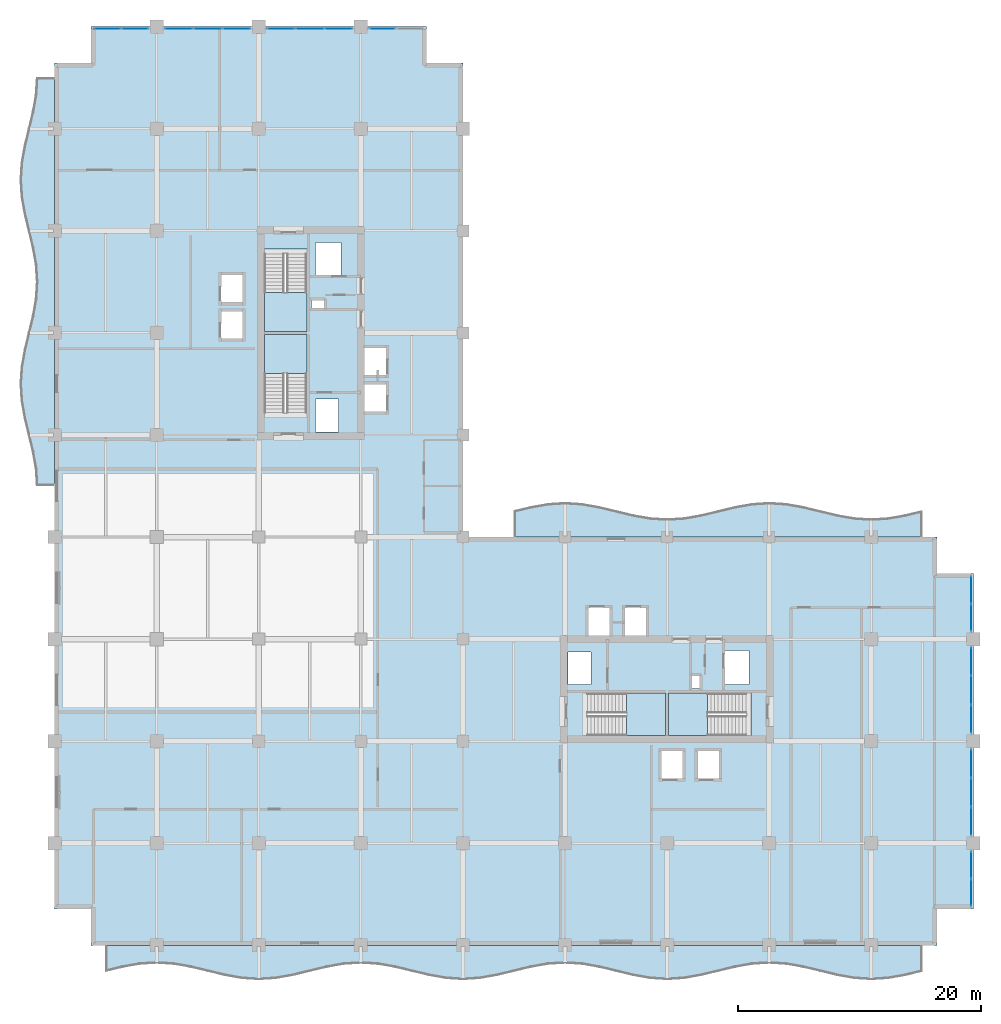
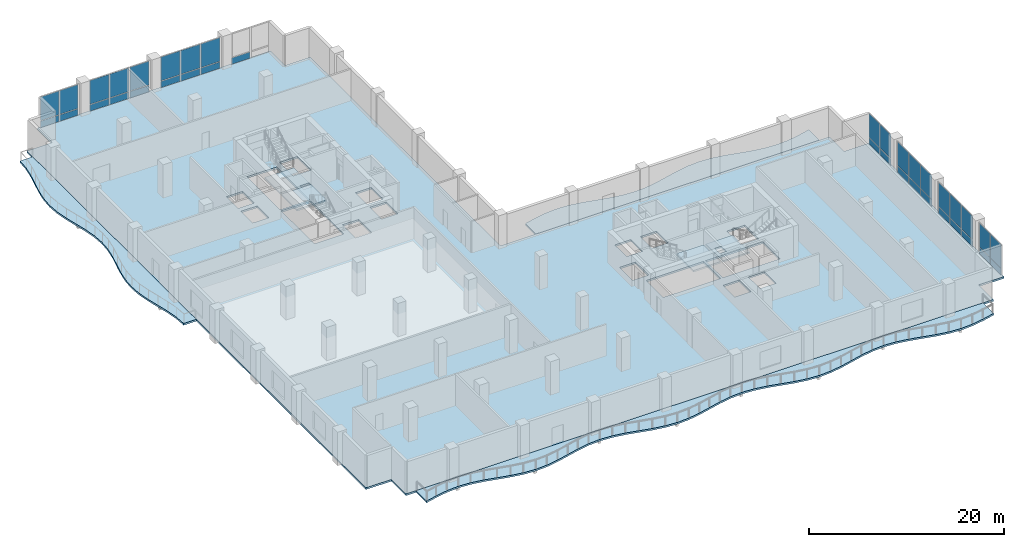
# One storey, part 9 of 22: 37 plates, 8 slabs, 12 elements without a shape of their own.
"""IFC4 building model written with IfcOpenShell, lengths in metres."""

from ifc_helpers import new_model, si_unit, direction, frame, origin, origin_2d, place, context, subcontext, project, spatial, polyline, rectangle, outline, extrude, material, layer, layer_set, type_object, element, aggregate, save


model = new_model("IFC4")

# Units and contexts
model_context = context("Model", 3, precision=1e-05, world=origin(), true_north=direction((0.0, 1.0)))
body_context = subcontext(model_context, "Body", "Model", "MODEL_VIEW")
ifc_project = project(units=[si_unit("LENGTHUNIT", "METRE"), si_unit("AREAUNIT", "SQUARE_METRE"), si_unit("VOLUMEUNIT", "CUBIC_METRE"), si_unit("PLANEANGLEUNIT", "RADIAN"), si_unit("MASSUNIT", "GRAM", prefix="KILO")], contexts=[model_context])

# Site, building, storey
site_placement = place(None, origin())
site = spatial("IfcSite", under=ifc_project, at=site_placement, CompositionType="ELEMENT")
building_placement = place(site_placement, origin())
building = spatial("IfcBuilding", under=site, at=building_placement, Name="Koriwani Terraces Tower", CompositionType="ELEMENT")
storey_placement = place(building_placement, frame((0.0, 0.0, 219.800048828125)))
storey = spatial("IfcBuildingStorey", under=building, at=storey_placement, Name="L54", CompositionType="ELEMENT", Elevation=219.800048828125)

# Curtain wall, plates
ifc_material_1 = material(Name="Anodised Bronze Aluminium", Category="aluminium")
ifc_layer_1 = layer(ifc_material_1, 0.219970703125, Name="Anodised Bronze Aluminium")
ifc_layer_set_1 = layer_set([ifc_layer_1], Name="Anodised Bronze Aluminium")
curtain_wall_type = type_object("IfcCurtainWallType", Name="CW_SKY_LOUNGE", PredefinedType="NOTDEFINED", material=ifc_layer_set_1)
curtain_wall_1_placement = place(storey_placement, origin())
curtain_wall_1 = element("IfcCurtainWall", 1, at=curtain_wall_1_placement, inside=storey, type_object=curtain_wall_type, Name="L54 Unitised Curtain Wall (N_TIP) Bay 1", PredefinedType="NOTDEFINED")
ifc_material_2 = material(Name="Tempered Laminated Low-E Glass", Category="glass")
ifc_layer_2 = layer(ifc_material_2, 0.028076171875, Name="Tempered Laminated Low-E Glass")
ifc_layer_set_2 = layer_set([ifc_layer_2], Name="Tempered Laminated Low-E Glass")
plate_type = type_object("IfcPlateType", Name="CW_PANEL_VISION_28", PredefinedType="CURTAIN_PANEL", material=ifc_layer_set_2)
plate_1_placement = place(storey_placement, frame((4.35009765625, 75.425048828125, 0.06494140625), z_axis=(0.0, 0.0, 1.0), x_axis=(1.0, 0.0, 0.0)))
plate_1 = element("IfcPlate", 2, at=plate_1_placement, type_object=plate_type, Name="CW-SKY panel 1.1", PredefinedType="CURTAIN_PANEL", context=body_context, shape_type="SweptSolid", body=[
    extrude(rectangle(XDim=2.179931640625, YDim=0.028076171875, at=origin_2d()), origin(), (0.0, 0.0, 1.0), 0.802490234375),
])
plate_2_placement = place(storey_placement, frame((4.35009765625, 75.425048828125, 0.9326171875), z_axis=(0.0, 0.0, 1.0), x_axis=(1.0, 0.0, 0.0)))
plate_2 = element("IfcPlate", 3, at=plate_2_placement, type_object=plate_type, Name="CW-SKY panel 1.2", PredefinedType="CURTAIN_PANEL", context=body_context, shape_type="SweptSolid", body=[
    extrude(rectangle(XDim=2.179931640625, YDim=0.028076171875, at=origin_2d()), origin(), (0.0, 0.0, 1.0), 2.972412109375),
])
plate_3_placement = place(storey_placement, frame((6.614990234375, 75.425048828125, 0.06494140625), z_axis=(0.0, 0.0, 1.0), x_axis=(1.0, 0.0, 0.0)))
plate_3 = element("IfcPlate", 4, at=plate_3_placement, type_object=plate_type, Name="CW-SKY panel 2.1", PredefinedType="CURTAIN_PANEL", context=body_context, shape_type="SweptSolid", body=[
    extrude(rectangle(XDim=2.179931640625, YDim=0.028076171875, at=origin_2d()), origin(), (0.0, 0.0, 1.0), 0.802490234375),
])
plate_4_placement = place(storey_placement, frame((6.614990234375, 75.425048828125, 0.9326171875), z_axis=(0.0, 0.0, 1.0), x_axis=(1.0, 0.0, 0.0)))
plate_4 = element("IfcPlate", 5, at=plate_4_placement, type_object=plate_type, Name="CW-SKY panel 2.2", PredefinedType="CURTAIN_PANEL", context=body_context, shape_type="SweptSolid", body=[
    extrude(rectangle(XDim=2.179931640625, YDim=0.028076171875, at=origin_2d()), origin(), (0.0, 0.0, 1.0), 2.972412109375),
])
aggregate(curtain_wall_1, [plate_1, plate_2, plate_3, plate_4])

curtain_wall_2_placement = place(storey_placement, origin())
curtain_wall_2 = element("IfcCurtainWall", 6, at=curtain_wall_2_placement, inside=storey, type_object=curtain_wall_type, Name="L54 Unitised Curtain Wall (N_TIP) Bay 2", PredefinedType="NOTDEFINED")
plate_5_placement = place(storey_placement, frame((10.22802734375, 75.425048828125, 0.06494140625), z_axis=(0.0, 0.0, 1.0), x_axis=(1.0, 0.0, 0.0)))
plate_5 = element("IfcPlate", 7, at=plate_5_placement, type_object=plate_type, Name="CW-SKY panel 1.1", PredefinedType="CURTAIN_PANEL", context=body_context, shape_type="SweptSolid", body=[
    extrude(rectangle(XDim=2.265869140625, YDim=0.028076171875, at=origin_2d()), origin(), (0.0, 0.0, 1.0), 0.802490234375),
])
plate_6_placement = place(storey_placement, frame((10.22802734375, 75.425048828125, 0.9326171875), z_axis=(0.0, 0.0, 1.0), x_axis=(1.0, 0.0, 0.0)))
plate_6 = element("IfcPlate", 8, at=plate_6_placement, type_object=plate_type, Name="CW-SKY panel 1.2", PredefinedType="CURTAIN_PANEL", context=body_context, shape_type="SweptSolid", body=[
    extrude(rectangle(XDim=2.265869140625, YDim=0.028076171875, at=origin_2d()), origin(), (0.0, 0.0, 1.0), 2.972412109375),
])
plate_7_placement = place(storey_placement, frame((12.60009765625, 75.425048828125, 0.06494140625), z_axis=(0.0, 0.0, 1.0), x_axis=(1.0, 0.0, 0.0)))
plate_7 = element("IfcPlate", 9, at=plate_7_placement, type_object=plate_type, Name="CW-SKY panel 2.1", PredefinedType="CURTAIN_PANEL", context=body_context, shape_type="SweptSolid", body=[
    extrude(rectangle(XDim=2.308349609375, YDim=0.028076171875, at=origin_2d()), origin(), (0.0, 0.0, 1.0), 0.802490234375),
])
plate_8_placement = place(storey_placement, frame((12.60009765625, 75.425048828125, 0.9326171875), z_axis=(0.0, 0.0, 1.0), x_axis=(1.0, 0.0, 0.0)))
plate_8 = element("IfcPlate", 10, at=plate_8_placement, type_object=plate_type, Name="CW-SKY panel 2.2", PredefinedType="CURTAIN_PANEL", context=body_context, shape_type="SweptSolid", body=[
    extrude(rectangle(XDim=2.308349609375, YDim=0.028076171875, at=origin_2d()), origin(), (0.0, 0.0, 1.0), 2.972412109375),
])
plate_9_placement = place(storey_placement, frame((14.97216796875, 75.425048828125, 0.06494140625), z_axis=(0.0, 0.0, 1.0), x_axis=(1.0, 0.0, 0.0)))
plate_9 = element("IfcPlate", 11, at=plate_9_placement, type_object=plate_type, Name="CW-SKY panel 3.1", PredefinedType="CURTAIN_PANEL", context=body_context, shape_type="SweptSolid", body=[
    extrude(rectangle(XDim=2.265869140625, YDim=0.028076171875, at=origin_2d()), origin(), (0.0, 0.0, 1.0), 0.802490234375),
])
plate_10_placement = place(storey_placement, frame((14.97216796875, 75.425048828125, 0.9326171875), z_axis=(0.0, 0.0, 1.0), x_axis=(1.0, 0.0, 0.0)))
plate_10 = element("IfcPlate", 12, at=plate_10_placement, type_object=plate_type, Name="CW-SKY panel 3.2", PredefinedType="CURTAIN_PANEL", context=body_context, shape_type="SweptSolid", body=[
    extrude(rectangle(XDim=2.265869140625, YDim=0.028076171875, at=origin_2d()), origin(), (0.0, 0.0, 1.0), 2.972412109375),
])
aggregate(curtain_wall_2, [plate_5, plate_6, plate_7, plate_8, plate_9, plate_10])

curtain_wall_3_placement = place(storey_placement, origin())
curtain_wall_3 = element("IfcCurtainWall", 13, at=curtain_wall_3_placement, inside=storey, type_object=curtain_wall_type, Name="L54 Unitised Curtain Wall (N_TIP) Bay 3", PredefinedType="NOTDEFINED")
plate_11_placement = place(storey_placement, frame((18.6279296875, 75.425048828125, 0.06494140625), z_axis=(0.0, 0.0, 1.0), x_axis=(1.0, 0.0, 0.0)))
plate_11 = element("IfcPlate", 14, at=plate_11_placement, type_object=plate_type, Name="CW-SKY panel 1.1", PredefinedType="CURTAIN_PANEL", context=body_context, shape_type="SweptSolid", body=[
    extrude(rectangle(XDim=2.265869140625, YDim=0.028076171875, at=origin_2d()), origin(), (0.0, 0.0, 1.0), 0.802490234375),
])
plate_12_placement = place(storey_placement, frame((18.6279296875, 75.425048828125, 0.9326171875), z_axis=(0.0, 0.0, 1.0), x_axis=(1.0, 0.0, 0.0)))
plate_12 = element("IfcPlate", 15, at=plate_12_placement, type_object=plate_type, Name="CW-SKY panel 1.2", PredefinedType="CURTAIN_PANEL", context=body_context, shape_type="SweptSolid", body=[
    extrude(rectangle(XDim=2.265869140625, YDim=0.028076171875, at=origin_2d()), origin(), (0.0, 0.0, 1.0), 2.972412109375),
])
plate_13_placement = place(storey_placement, frame((21.0, 75.425048828125, 0.06494140625), z_axis=(0.0, 0.0, 1.0), x_axis=(1.0, 0.0, 0.0)))
plate_13 = element("IfcPlate", 16, at=plate_13_placement, type_object=plate_type, Name="CW-SKY panel 2.1", PredefinedType="CURTAIN_PANEL", context=body_context, shape_type="SweptSolid", body=[
    extrude(rectangle(XDim=2.308349609375, YDim=0.028076171875, at=origin_2d()), origin(), (0.0, 0.0, 1.0), 0.802490234375),
])
plate_14_placement = place(storey_placement, frame((21.0, 75.425048828125, 0.9326171875), z_axis=(0.0, 0.0, 1.0), x_axis=(1.0, 0.0, 0.0)))
plate_14 = element("IfcPlate", 17, at=plate_14_placement, type_object=plate_type, Name="CW-SKY panel 2.2", PredefinedType="CURTAIN_PANEL", context=body_context, shape_type="SweptSolid", body=[
    extrude(rectangle(XDim=2.308349609375, YDim=0.028076171875, at=origin_2d()), origin(), (0.0, 0.0, 1.0), 2.972412109375),
])
plate_15_placement = place(storey_placement, frame((23.3720703125, 75.425048828125, 0.06494140625), z_axis=(0.0, 0.0, 1.0), x_axis=(1.0, 0.0, 0.0)))
plate_15 = element("IfcPlate", 18, at=plate_15_placement, type_object=plate_type, Name="CW-SKY panel 3.1", PredefinedType="CURTAIN_PANEL", context=body_context, shape_type="SweptSolid", body=[
    extrude(rectangle(XDim=2.265869140625, YDim=0.028076171875, at=origin_2d()), origin(), (0.0, 0.0, 1.0), 0.802490234375),
])
plate_16_placement = place(storey_placement, frame((23.3720703125, 75.425048828125, 0.9326171875), z_axis=(0.0, 0.0, 1.0), x_axis=(1.0, 0.0, 0.0)))
plate_16 = element("IfcPlate", 19, at=plate_16_placement, type_object=plate_type, Name="CW-SKY panel 3.2", PredefinedType="CURTAIN_PANEL", context=body_context, shape_type="SweptSolid", body=[
    extrude(rectangle(XDim=2.265869140625, YDim=0.028076171875, at=origin_2d()), origin(), (0.0, 0.0, 1.0), 2.972412109375),
])
aggregate(curtain_wall_3, [plate_11, plate_12, plate_13, plate_14, plate_15, plate_16])

# Curtain wall, plate
curtain_wall_4_placement = place(storey_placement, origin())
curtain_wall_4 = element("IfcCurtainWall", 20, at=curtain_wall_4_placement, inside=storey, type_object=curtain_wall_type, Name="L54 Unitised Curtain Wall (N_TIP) Bay 4", PredefinedType="NOTDEFINED")
plate_17_placement = place(storey_placement, frame((26.985107421875, 75.425048828125, 0.06494140625), z_axis=(0.0, 0.0, 1.0), x_axis=(1.0, 0.0, 0.0)))
plate_17 = element("IfcPlate", 21, at=plate_17_placement, type_object=plate_type, Name="CW-SKY panel 1.1", PredefinedType="CURTAIN_PANEL", context=body_context, shape_type="SweptSolid", body=[
    extrude(rectangle(XDim=2.179931640625, YDim=0.028076171875, at=origin_2d()), origin(), (0.0, 0.0, 1.0), 0.802490234375),
])
aggregate(curtain_wall_4, [plate_17])

# Curtain wall, plates
curtain_wall_5_placement = place(storey_placement, origin())
curtain_wall_5 = element("IfcCurtainWall", 22, at=curtain_wall_5_placement, inside=storey, type_object=curtain_wall_type, Name="L54 Unitised Curtain Wall (E_TIP) Bay 1", PredefinedType="NOTDEFINED")
plate_18_placement = place(storey_placement, frame((75.425048828125, 29.25, 0.06494140625), z_axis=(0.0, 0.0, 1.0), x_axis=(0.0, -1.0, 0.0)))
plate_18 = element("IfcPlate", 23, at=plate_18_placement, type_object=plate_type, Name="CW-SKY panel 1.1", PredefinedType="CURTAIN_PANEL", context=body_context, shape_type="SweptSolid", body=[
    extrude(rectangle(XDim=2.179931640625, YDim=0.028076171875, at=origin_2d()), origin(), (0.0, 0.0, 1.0), 0.802490234375),
])
plate_19_placement = place(storey_placement, frame((75.425048828125, 29.25, 0.9326171875), z_axis=(0.0, 0.0, 1.0), x_axis=(0.0, -1.0, 0.0)))
plate_19 = element("IfcPlate", 24, at=plate_19_placement, type_object=plate_type, Name="CW-SKY panel 1.2", PredefinedType="CURTAIN_PANEL", context=body_context, shape_type="SweptSolid", body=[
    extrude(rectangle(XDim=2.179931640625, YDim=0.028076171875, at=origin_2d()), origin(), (0.0, 0.0, 1.0), 2.972412109375),
])
plate_20_placement = place(storey_placement, frame((75.425048828125, 26.985107421875, 0.06494140625), z_axis=(0.0, 0.0, 1.0), x_axis=(0.0, -1.0, 0.0)))
plate_20 = element("IfcPlate", 25, at=plate_20_placement, type_object=plate_type, Name="CW-SKY panel 2.1", PredefinedType="CURTAIN_PANEL", context=body_context, shape_type="SweptSolid", body=[
    extrude(rectangle(XDim=2.179931640625, YDim=0.028076171875, at=origin_2d()), origin(), (0.0, 0.0, 1.0), 0.802490234375),
])
plate_21_placement = place(storey_placement, frame((75.425048828125, 26.985107421875, 0.9326171875), z_axis=(0.0, 0.0, 1.0), x_axis=(0.0, -1.0, 0.0)))
plate_21 = element("IfcPlate", 26, at=plate_21_placement, type_object=plate_type, Name="CW-SKY panel 2.2", PredefinedType="CURTAIN_PANEL", context=body_context, shape_type="SweptSolid", body=[
    extrude(rectangle(XDim=2.179931640625, YDim=0.028076171875, at=origin_2d()), origin(), (0.0, 0.0, 1.0), 2.972412109375),
])
aggregate(curtain_wall_5, [plate_18, plate_19, plate_20, plate_21])

curtain_wall_6_placement = place(storey_placement, origin())
curtain_wall_6 = element("IfcCurtainWall", 27, at=curtain_wall_6_placement, inside=storey, type_object=curtain_wall_type, Name="L54 Unitised Curtain Wall (E_TIP) Bay 2", PredefinedType="NOTDEFINED")
plate_22_placement = place(storey_placement, frame((75.425048828125, 23.3720703125, 0.06494140625), z_axis=(0.0, 0.0, 1.0), x_axis=(0.0, -1.0, 0.0)))
plate_22 = element("IfcPlate", 28, at=plate_22_placement, type_object=plate_type, Name="CW-SKY panel 1.1", PredefinedType="CURTAIN_PANEL", context=body_context, shape_type="SweptSolid", body=[
    extrude(rectangle(XDim=2.265869140625, YDim=0.028076171875, at=origin_2d()), origin(), (0.0, 0.0, 1.0), 0.802490234375),
])
plate_23_placement = place(storey_placement, frame((75.425048828125, 23.3720703125, 0.9326171875), z_axis=(0.0, 0.0, 1.0), x_axis=(0.0, -1.0, 0.0)))
plate_23 = element("IfcPlate", 29, at=plate_23_placement, type_object=plate_type, Name="CW-SKY panel 1.2", PredefinedType="CURTAIN_PANEL", context=body_context, shape_type="SweptSolid", body=[
    extrude(rectangle(XDim=2.265869140625, YDim=0.028076171875, at=origin_2d()), origin(), (0.0, 0.0, 1.0), 2.972412109375),
])
plate_24_placement = place(storey_placement, frame((75.425048828125, 21.0, 0.06494140625), z_axis=(0.0, 0.0, 1.0), x_axis=(0.0, -1.0, 0.0)))
plate_24 = element("IfcPlate", 30, at=plate_24_placement, type_object=plate_type, Name="CW-SKY panel 2.1", PredefinedType="CURTAIN_PANEL", context=body_context, shape_type="SweptSolid", body=[
    extrude(rectangle(XDim=2.308349609375, YDim=0.028076171875, at=origin_2d()), origin(), (0.0, 0.0, 1.0), 0.802490234375),
])
plate_25_placement = place(storey_placement, frame((75.425048828125, 21.0, 0.9326171875), z_axis=(0.0, 0.0, 1.0), x_axis=(0.0, -1.0, 0.0)))
plate_25 = element("IfcPlate", 31, at=plate_25_placement, type_object=plate_type, Name="CW-SKY panel 2.2", PredefinedType="CURTAIN_PANEL", context=body_context, shape_type="SweptSolid", body=[
    extrude(rectangle(XDim=2.308349609375, YDim=0.028076171875, at=origin_2d()), origin(), (0.0, 0.0, 1.0), 2.972412109375),
])
plate_26_placement = place(storey_placement, frame((75.425048828125, 18.6279296875, 0.06494140625), z_axis=(0.0, 0.0, 1.0), x_axis=(0.0, -1.0, 0.0)))
plate_26 = element("IfcPlate", 32, at=plate_26_placement, type_object=plate_type, Name="CW-SKY panel 3.1", PredefinedType="CURTAIN_PANEL", context=body_context, shape_type="SweptSolid", body=[
    extrude(rectangle(XDim=2.265869140625, YDim=0.028076171875, at=origin_2d()), origin(), (0.0, 0.0, 1.0), 0.802490234375),
])
plate_27_placement = place(storey_placement, frame((75.425048828125, 18.6279296875, 0.9326171875), z_axis=(0.0, 0.0, 1.0), x_axis=(0.0, -1.0, 0.0)))
plate_27 = element("IfcPlate", 33, at=plate_27_placement, type_object=plate_type, Name="CW-SKY panel 3.2", PredefinedType="CURTAIN_PANEL", context=body_context, shape_type="SweptSolid", body=[
    extrude(rectangle(XDim=2.265869140625, YDim=0.028076171875, at=origin_2d()), origin(), (0.0, 0.0, 1.0), 2.972412109375),
])
aggregate(curtain_wall_6, [plate_22, plate_23, plate_24, plate_25, plate_26, plate_27])

curtain_wall_7_placement = place(storey_placement, origin())
curtain_wall_7 = element("IfcCurtainWall", 34, at=curtain_wall_7_placement, inside=storey, type_object=curtain_wall_type, Name="L54 Unitised Curtain Wall (E_TIP) Bay 3", PredefinedType="NOTDEFINED")
plate_28_placement = place(storey_placement, frame((75.425048828125, 14.97216796875, 0.06494140625), z_axis=(0.0, 0.0, 1.0), x_axis=(0.0, -1.0, 0.0)))
plate_28 = element("IfcPlate", 35, at=plate_28_placement, type_object=plate_type, Name="CW-SKY panel 1.1", PredefinedType="CURTAIN_PANEL", context=body_context, shape_type="SweptSolid", body=[
    extrude(rectangle(XDim=2.265869140625, YDim=0.028076171875, at=origin_2d()), origin(), (0.0, 0.0, 1.0), 0.802490234375),
])
plate_29_placement = place(storey_placement, frame((75.425048828125, 14.97216796875, 0.9326171875), z_axis=(0.0, 0.0, 1.0), x_axis=(0.0, -1.0, 0.0)))
plate_29 = element("IfcPlate", 36, at=plate_29_placement, type_object=plate_type, Name="CW-SKY panel 1.2", PredefinedType="CURTAIN_PANEL", context=body_context, shape_type="SweptSolid", body=[
    extrude(rectangle(XDim=2.265869140625, YDim=0.028076171875, at=origin_2d()), origin(), (0.0, 0.0, 1.0), 2.972412109375),
])
plate_30_placement = place(storey_placement, frame((75.425048828125, 12.60009765625, 0.06494140625), z_axis=(0.0, 0.0, 1.0), x_axis=(0.0, -1.0, 0.0)))
plate_30 = element("IfcPlate", 37, at=plate_30_placement, type_object=plate_type, Name="CW-SKY panel 2.1", PredefinedType="CURTAIN_PANEL", context=body_context, shape_type="SweptSolid", body=[
    extrude(rectangle(XDim=2.308349609375, YDim=0.028076171875, at=origin_2d()), origin(), (0.0, 0.0, 1.0), 0.802490234375),
])
plate_31_placement = place(storey_placement, frame((75.425048828125, 12.60009765625, 0.9326171875), z_axis=(0.0, 0.0, 1.0), x_axis=(0.0, -1.0, 0.0)))
plate_31 = element("IfcPlate", 38, at=plate_31_placement, type_object=plate_type, Name="CW-SKY panel 2.2", PredefinedType="CURTAIN_PANEL", context=body_context, shape_type="SweptSolid", body=[
    extrude(rectangle(XDim=2.308349609375, YDim=0.028076171875, at=origin_2d()), origin(), (0.0, 0.0, 1.0), 2.972412109375),
])
plate_32_placement = place(storey_placement, frame((75.425048828125, 10.22802734375, 0.06494140625), z_axis=(0.0, 0.0, 1.0), x_axis=(0.0, -1.0, 0.0)))
plate_32 = element("IfcPlate", 39, at=plate_32_placement, type_object=plate_type, Name="CW-SKY panel 3.1", PredefinedType="CURTAIN_PANEL", context=body_context, shape_type="SweptSolid", body=[
    extrude(rectangle(XDim=2.265869140625, YDim=0.028076171875, at=origin_2d()), origin(), (0.0, 0.0, 1.0), 0.802490234375),
])
plate_33_placement = place(storey_placement, frame((75.425048828125, 10.22802734375, 0.9326171875), z_axis=(0.0, 0.0, 1.0), x_axis=(0.0, -1.0, 0.0)))
plate_33 = element("IfcPlate", 40, at=plate_33_placement, type_object=plate_type, Name="CW-SKY panel 3.2", PredefinedType="CURTAIN_PANEL", context=body_context, shape_type="SweptSolid", body=[
    extrude(rectangle(XDim=2.265869140625, YDim=0.028076171875, at=origin_2d()), origin(), (0.0, 0.0, 1.0), 2.972412109375),
])
aggregate(curtain_wall_7, [plate_28, plate_29, plate_30, plate_31, plate_32, plate_33])

curtain_wall_8_placement = place(storey_placement, origin())
curtain_wall_8 = element("IfcCurtainWall", 41, at=curtain_wall_8_placement, inside=storey, type_object=curtain_wall_type, Name="L54 Unitised Curtain Wall (E_TIP) Bay 4", PredefinedType="NOTDEFINED")
plate_34_placement = place(storey_placement, frame((75.425048828125, 6.614990234375, 0.06494140625), z_axis=(0.0, 0.0, 1.0), x_axis=(0.0, -1.0, 0.0)))
plate_34 = element("IfcPlate", 42, at=plate_34_placement, type_object=plate_type, Name="CW-SKY panel 1.1", PredefinedType="CURTAIN_PANEL", context=body_context, shape_type="SweptSolid", body=[
    extrude(rectangle(XDim=2.179931640625, YDim=0.028076171875, at=origin_2d()), origin(), (0.0, 0.0, 1.0), 0.802490234375),
])
plate_35_placement = place(storey_placement, frame((75.425048828125, 6.614990234375, 0.9326171875), z_axis=(0.0, 0.0, 1.0), x_axis=(0.0, -1.0, 0.0)))
plate_35 = element("IfcPlate", 43, at=plate_35_placement, type_object=plate_type, Name="CW-SKY panel 1.2", PredefinedType="CURTAIN_PANEL", context=body_context, shape_type="SweptSolid", body=[
    extrude(rectangle(XDim=2.179931640625, YDim=0.028076171875, at=origin_2d()), origin(), (0.0, 0.0, 1.0), 2.972412109375),
])
plate_36_placement = place(storey_placement, frame((75.425048828125, 4.35009765625, 0.06494140625), z_axis=(0.0, 0.0, 1.0), x_axis=(0.0, -1.0, 0.0)))
plate_36 = element("IfcPlate", 44, at=plate_36_placement, type_object=plate_type, Name="CW-SKY panel 2.1", PredefinedType="CURTAIN_PANEL", context=body_context, shape_type="SweptSolid", body=[
    extrude(rectangle(XDim=2.179931640625, YDim=0.028076171875, at=origin_2d()), origin(), (0.0, 0.0, 1.0), 0.802490234375),
])
plate_37_placement = place(storey_placement, frame((75.425048828125, 4.35009765625, 0.9326171875), z_axis=(0.0, 0.0, 1.0), x_axis=(0.0, -1.0, 0.0)))
plate_37 = element("IfcPlate", 45, at=plate_37_placement, type_object=plate_type, Name="CW-SKY panel 2.2", PredefinedType="CURTAIN_PANEL", context=body_context, shape_type="SweptSolid", body=[
    extrude(rectangle(XDim=2.179931640625, YDim=0.028076171875, at=origin_2d()), origin(), (0.0, 0.0, 1.0), 2.972412109375),
])
aggregate(curtain_wall_8, [plate_34, plate_35, plate_36, plate_37])

# Slabs
ifc_material_3 = material(Name="Concrete C40/50", Category="concrete")
ifc_layer_3 = layer(ifc_material_3, 0.219970703125, Name="Concrete C40/50")
ifc_layer_set_3 = layer_set([ifc_layer_3], Name="Concrete C40/50")
slab_type_1 = type_object("IfcSlabType", Name="SLAB_BALCONY_220", PredefinedType="FLOOR", material=ifc_layer_set_3)
slab_1_placement = place(storey_placement, frame((0.0, 0.0, -0.219970703125)))
element("IfcSlab", 46, at=slab_1_placement, inside=storey, type_object=slab_type_1, Name="L54 Quilted Circular-Arc Balcony (S)", PredefinedType="FLOOR", context=body_context, shape_type="SweptSolid", body=[
    extrude(outline(polyline([(4.199951171875, 0.0), (5.60009765625, 0.0), (7.0, 0.0), (8.39990234375, 0.0), (9.800048828125, 0.0), (11.199951171875, 0.0), (12.60009765625, 0.0), (14.0, 0.0), (15.39990234375, 0.0), (16.800048828125, 0.0), (18.199951171875, 0.0), (19.60009765625, 0.0), (21.0, 0.0), (22.39990234375, 0.0), (23.800048828125, 0.0), (25.199951171875, 0.0), (26.60009765625, 0.0), (28.0, 0.0), (29.39990234375, 0.0), (30.800048828125, 0.0), (32.199951171875, 0.0), (33.60009765625, 0.0), (35.0, 0.0), (36.39990234375, 0.0), (37.800048828125, 0.0), (39.199951171875, 0.0), (40.60009765625, 0.0), (42.0, 0.0), (43.39990234375, 0.0), (44.800048828125, 0.0), (46.199951171875, 0.0), (47.60009765625, 0.0), (49.0, 0.0), (50.39990234375, 0.0), (51.800048828125, 0.0), (53.199951171875, 0.0), (54.60009765625, 0.0), (56.0, 0.0), (57.39990234375, 0.0), (58.800048828125, 0.0), (60.199951171875, 0.0), (61.60009765625, 0.0), (63.0, 0.0), (64.39990234375, 0.0), (65.800048828125, 0.0), (67.199951171875, 0.0), (68.60009765625, 0.0), (70.0, 0.0), (71.39990234375, 0.0), (71.39990234375, -2.175048828125), (70.0, -2.512451171875), (68.60009765625, -2.759521484375), (67.199951171875, -2.85009765625), (65.800048828125, -2.759521484375), (64.39990234375, -2.512451171875), (63.0, -2.175048828125), (61.60009765625, -1.83740234375), (60.199951171875, -1.59033203125), (58.800048828125, -1.5), (57.39990234375, -1.59033203125), (56.0, -1.83740234375), (54.60009765625, -2.175048828125), (53.199951171875, -2.512451171875), (51.800048828125, -2.759521484375), (50.39990234375, -2.85009765625), (49.0, -2.759521484375), (47.60009765625, -2.512451171875), (46.199951171875, -2.175048828125), (44.800048828125, -1.83740234375), (43.39990234375, -1.59033203125), (42.0, -1.5), (40.60009765625, -1.59033203125), (39.199951171875, -1.83740234375), (37.800048828125, -2.175048828125), (36.39990234375, -2.512451171875), (35.0, -2.759521484375), (33.60009765625, -2.85009765625), (32.199951171875, -2.759521484375), (30.800048828125, -2.512451171875), (29.39990234375, -2.175048828125), (28.0, -1.83740234375), (26.60009765625, -1.59033203125), (25.199951171875, -1.5), (23.800048828125, -1.59033203125), (22.39990234375, -1.83740234375), (21.0, -2.175048828125), (19.60009765625, -2.512451171875), (18.199951171875, -2.759521484375), (16.800048828125, -2.85009765625), (15.39990234375, -2.759521484375), (14.0, -2.512451171875), (12.60009765625, -2.175048828125), (11.199951171875, -1.83740234375), (9.800048828125, -1.59033203125), (8.39990234375, -1.5), (7.0, -1.59033203125), (5.60009765625, -1.83740234375), (4.199951171875, -2.175048828125), (4.199951171875, 0.0)])), origin(), (0.0, 0.0, 1.0), 0.219970703125),
])
slab_2_placement = place(storey_placement, frame((0.0, 0.0, -0.219970703125)))
element("IfcSlab", 47, at=slab_2_placement, inside=storey, type_object=slab_type_1, Name="L54 Quilted Circular-Arc Balcony (W)", PredefinedType="FLOOR", context=body_context, shape_type="SweptSolid", body=[
    extrude(outline(polyline([(0.0, 37.800048828125), (0.0, 39.199951171875), (0.0, 40.60009765625), (0.0, 42.0), (0.0, 43.39990234375), (0.0, 44.800048828125), (0.0, 46.199951171875), (0.0, 47.60009765625), (0.0, 49.0), (0.0, 50.39990234375), (0.0, 51.800048828125), (0.0, 53.199951171875), (0.0, 54.60009765625), (0.0, 56.0), (0.0, 57.39990234375), (0.0, 58.800048828125), (0.0, 60.199951171875), (0.0, 61.60009765625), (0.0, 63.0), (0.0, 64.39990234375), (0.0, 65.800048828125), (0.0, 67.199951171875), (0.0, 68.60009765625), (0.0, 70.0), (0.0, 71.39990234375), (-1.5, 71.39990234375), (-1.59033203125, 70.0), (-1.83740234375, 68.60009765625), (-2.175048828125, 67.199951171875), (-2.512451171875, 65.800048828125), (-2.759521484375, 64.39990234375), (-2.85009765625, 63.0), (-2.759521484375, 61.60009765625), (-2.512451171875, 60.199951171875), (-2.175048828125, 58.800048828125), (-1.83740234375, 57.39990234375), (-1.59033203125, 56.0), (-1.5, 54.60009765625), (-1.59033203125, 53.199951171875), (-1.83740234375, 51.800048828125), (-2.175048828125, 50.39990234375), (-2.512451171875, 49.0), (-2.759521484375, 47.60009765625), (-2.85009765625, 46.199951171875), (-2.759521484375, 44.800048828125), (-2.512451171875, 43.39990234375), (-2.175048828125, 42.0), (-1.83740234375, 40.60009765625), (-1.59033203125, 39.199951171875), (-1.5, 37.800048828125), (0.0, 37.800048828125)])), origin(), (0.0, 0.0, 1.0), 0.219970703125),
])
slab_3_placement = place(storey_placement, frame((0.0, 0.0, -0.219970703125)))
element("IfcSlab", 48, at=slab_3_placement, inside=storey, type_object=slab_type_1, Name="L54 Quilted Circular-Arc Balcony (NE)", PredefinedType="FLOOR", context=body_context, shape_type="SweptSolid", body=[
    extrude(outline(polyline([(71.39990234375, 33.60009765625), (70.0, 33.60009765625), (68.60009765625, 33.60009765625), (67.199951171875, 33.60009765625), (65.800048828125, 33.60009765625), (64.39990234375, 33.60009765625), (63.0, 33.60009765625), (61.60009765625, 33.60009765625), (60.199951171875, 33.60009765625), (58.800048828125, 33.60009765625), (57.39990234375, 33.60009765625), (56.0, 33.60009765625), (54.60009765625, 33.60009765625), (53.199951171875, 33.60009765625), (51.800048828125, 33.60009765625), (50.39990234375, 33.60009765625), (49.0, 33.60009765625), (47.60009765625, 33.60009765625), (46.199951171875, 33.60009765625), (44.800048828125, 33.60009765625), (43.39990234375, 33.60009765625), (42.0, 33.60009765625), (40.60009765625, 33.60009765625), (39.199951171875, 33.60009765625), (37.800048828125, 33.60009765625), (37.800048828125, 35.77490234375), (39.199951171875, 36.112548828125), (40.60009765625, 36.359619140625), (42.0, 36.449951171875), (43.39990234375, 36.359619140625), (44.800048828125, 36.112548828125), (46.199951171875, 35.77490234375), (47.60009765625, 35.4375), (49.0, 35.1904296875), (50.39990234375, 35.10009765625), (51.800048828125, 35.1904296875), (53.199951171875, 35.4375), (54.60009765625, 35.77490234375), (56.0, 36.112548828125), (57.39990234375, 36.359619140625), (58.800048828125, 36.449951171875), (60.199951171875, 36.359619140625), (61.60009765625, 36.112548828125), (63.0, 35.77490234375), (64.39990234375, 35.4375), (65.800048828125, 35.1904296875), (67.199951171875, 35.10009765625), (68.60009765625, 35.1904296875), (70.0, 35.4375), (71.39990234375, 35.77490234375), (71.39990234375, 33.60009765625)])), origin(), (0.0, 0.0, 1.0), 0.219970703125),
])
ifc_layer_4 = layer(ifc_material_3, 0.22998046875, Name="Concrete C40/50")
ifc_layer_set_4 = layer_set([ifc_layer_4], Name="Concrete C40/50")
slab_type_2 = type_object("IfcSlabType", Name="SLAB_RES_TYP_230", PredefinedType="FLOOR", material=ifc_layer_set_4)
slab_4_placement = place(storey_placement, frame((0.0, 0.0, -0.22998046875)))
element("IfcSlab", 49, at=slab_4_placement, inside=storey, type_object=slab_type_2, Name="L54 Structural Floor Slab", PredefinedType="FLOOR", context=body_context, shape_type="SweptSolid", body=[
    extrude(outline(polyline([(3.0, 0.0), (72.60009765625, 0.0), (72.60009765625, 3.0), (75.60009765625, 3.0), (75.60009765625, 30.60009765625), (72.60009765625, 30.60009765625), (72.60009765625, 33.60009765625), (33.60009765625, 33.60009765625), (33.60009765625, 72.60009765625), (30.60009765625, 72.60009765625), (30.60009765625, 75.60009765625), (3.0, 75.60009765625), (3.0, 72.60009765625), (0.0, 72.60009765625), (0.0, 3.0), (3.0, 3.0), (3.0, 0.0)]), holes=[polyline([(17.25, 43.4599609375), (20.75, 43.4599609375), (20.75, 50.25), (17.25, 50.25), (17.25, 43.4599609375)]), polyline([(17.25, 50.5), (20.75, 50.5), (20.75, 57.2900390625), (17.25, 57.2900390625), (17.25, 50.5)]), polyline([(43.4599609375, 17.25), (50.25, 17.25), (50.25, 20.75), (43.4599609375, 20.75), (43.4599609375, 17.25)]), polyline([(50.5, 17.25), (57.2900390625, 17.25), (57.2900390625, 20.75), (50.5, 20.75), (50.5, 17.25)]), polyline([(13.64990234375, 49.85009765625), (15.550048828125, 49.85009765625), (15.550048828125, 52.25), (13.64990234375, 52.25), (13.64990234375, 49.85009765625)]), polyline([(13.64990234375, 52.85009765625), (15.550048828125, 52.85009765625), (15.550048828125, 55.25), (13.64990234375, 55.25), (13.64990234375, 52.85009765625)]), polyline([(49.85009765625, 13.64990234375), (51.75, 13.64990234375), (51.75, 16.050048828125), (49.85009765625, 16.050048828125), (49.85009765625, 13.64990234375)]), polyline([(52.85009765625, 13.64990234375), (54.75, 13.64990234375), (54.75, 16.050048828125), (52.85009765625, 16.050048828125), (52.85009765625, 13.64990234375)]), polyline([(25.449951171875, 43.85009765625), (27.35009765625, 43.85009765625), (27.35009765625, 46.25), (25.449951171875, 46.25), (25.449951171875, 43.85009765625)]), polyline([(25.449951171875, 46.85009765625), (27.35009765625, 46.85009765625), (27.35009765625, 49.25), (25.449951171875, 49.25), (25.449951171875, 46.85009765625)]), polyline([(43.85009765625, 25.449951171875), (45.75, 25.449951171875), (45.75, 27.85009765625), (43.85009765625, 27.85009765625), (43.85009765625, 25.449951171875)]), polyline([(46.85009765625, 25.449951171875), (48.75, 25.449951171875), (48.75, 27.85009765625), (46.85009765625, 27.85009765625), (46.85009765625, 25.449951171875)]), polyline([(21.449951171875, 55.050048828125), (23.550048828125, 55.050048828125), (23.550048828125, 57.85009765625), (21.449951171875, 57.85009765625), (21.449951171875, 55.050048828125)]), polyline([(55.050048828125, 21.449951171875), (57.14990234375, 21.449951171875), (57.14990234375, 24.25), (55.050048828125, 24.25), (55.050048828125, 21.449951171875)]), polyline([(21.449951171875, 42.25), (23.35009765625, 42.25), (23.35009765625, 44.949951171875), (21.449951171875, 44.949951171875), (21.449951171875, 42.25)]), polyline([(42.25, 21.449951171875), (44.14990234375, 21.449951171875), (44.14990234375, 24.14990234375), (42.25, 24.14990234375), (42.25, 21.449951171875)]), polyline([(21.14990234375, 52.419921875), (22.219970703125, 52.419921875), (22.219970703125, 53.179931640625), (21.14990234375, 53.179931640625), (21.14990234375, 52.419921875)]), polyline([(52.419921875, 21.14990234375), (53.179931640625, 21.14990234375), (53.179931640625, 22.219970703125), (52.419921875, 22.219970703125), (52.419921875, 21.14990234375)])]), origin(), (0.0, 0.0, 1.0), 0.22998046875),
])

# Stair, slab
stair_type = type_object("IfcStairType", Name="STAIR_CORE_DOGLEG_1650", PredefinedType="TWO_STRAIGHT_RUN_STAIR", material=ifc_material_3)
stair_1_placement = place(storey_placement, origin())
stair_1 = element("IfcStair", 50, at=stair_1_placement, inside=storey, type_object=stair_type, Name="L54 West Core Exit Stair 1", PredefinedType="HALF_TURN_STAIR")
ifc_layer_5 = layer(ifc_material_3, 0.199951171875, Name="Concrete C40/50")
ifc_layer_set_5 = layer_set([ifc_layer_5], Name="Concrete C40/50")
slab_type_3 = type_object("IfcSlabType", Name="SLAB_STAIR_LANDING_200", PredefinedType="LANDING", material=ifc_layer_set_5)
slab_5_placement = place(storey_placement, frame((0.0, 0.0, 1.89990234375)))
slab_5 = element("IfcSlab", 51, at=slab_5_placement, type_object=slab_type_3, Name="ST-W1 landing 1", PredefinedType="LANDING", context=body_context, shape_type="SweptSolid", body=[
    extrude(outline(polyline([(20.75, 47.0400390625), (20.75, 50.25), (17.25, 50.25), (17.25, 47.0400390625), (20.75, 47.0400390625)])), origin(), (0.0, 0.0, 1.0), 0.199951171875),
])
aggregate(stair_1, [slab_5])

stair_2_placement = place(storey_placement, origin())
stair_2 = element("IfcStair", 52, at=stair_2_placement, inside=storey, type_object=stair_type, Name="L54 West Core Exit Stair 2", PredefinedType="HALF_TURN_STAIR")
slab_6_placement = place(storey_placement, frame((0.0, 0.0, 1.89990234375)))
slab_6 = element("IfcSlab", 53, at=slab_6_placement, type_object=slab_type_3, Name="ST-W2 landing 1", PredefinedType="LANDING", context=body_context, shape_type="SweptSolid", body=[
    extrude(outline(polyline([(17.25, 53.7099609375), (17.25, 50.5), (20.75, 50.5), (20.75, 53.7099609375), (17.25, 53.7099609375)])), origin(), (0.0, 0.0, 1.0), 0.199951171875),
])
aggregate(stair_2, [slab_6])

stair_3_placement = place(storey_placement, origin())
stair_3 = element("IfcStair", 54, at=stair_3_placement, inside=storey, type_object=stair_type, Name="L54 East Core Exit Stair 1", PredefinedType="HALF_TURN_STAIR")
slab_7_placement = place(storey_placement, frame((0.0, 0.0, 1.89990234375)))
slab_7 = element("IfcSlab", 55, at=slab_7_placement, type_object=slab_type_3, Name="ST-E1 landing 1", PredefinedType="LANDING", context=body_context, shape_type="SweptSolid", body=[
    extrude(outline(polyline([(47.0400390625, 17.25), (50.25, 17.25), (50.25, 20.75), (47.0400390625, 20.75), (47.0400390625, 17.25)])), origin(), (0.0, 0.0, 1.0), 0.199951171875),
])
aggregate(stair_3, [slab_7])

stair_4_placement = place(storey_placement, origin())
stair_4 = element("IfcStair", 56, at=stair_4_placement, inside=storey, type_object=stair_type, Name="L54 East Core Exit Stair 2", PredefinedType="HALF_TURN_STAIR")
slab_8_placement = place(storey_placement, frame((0.0, 0.0, 1.89990234375)))
slab_8 = element("IfcSlab", 57, at=slab_8_placement, type_object=slab_type_3, Name="ST-E2 landing 1", PredefinedType="LANDING", context=body_context, shape_type="SweptSolid", body=[
    extrude(outline(polyline([(53.7099609375, 20.75), (50.5, 20.75), (50.5, 17.25), (53.7099609375, 17.25), (53.7099609375, 20.75)])), origin(), (0.0, 0.0, 1.0), 0.199951171875),
])
aggregate(stair_4, [slab_8])

save(model, "model.ifc")
